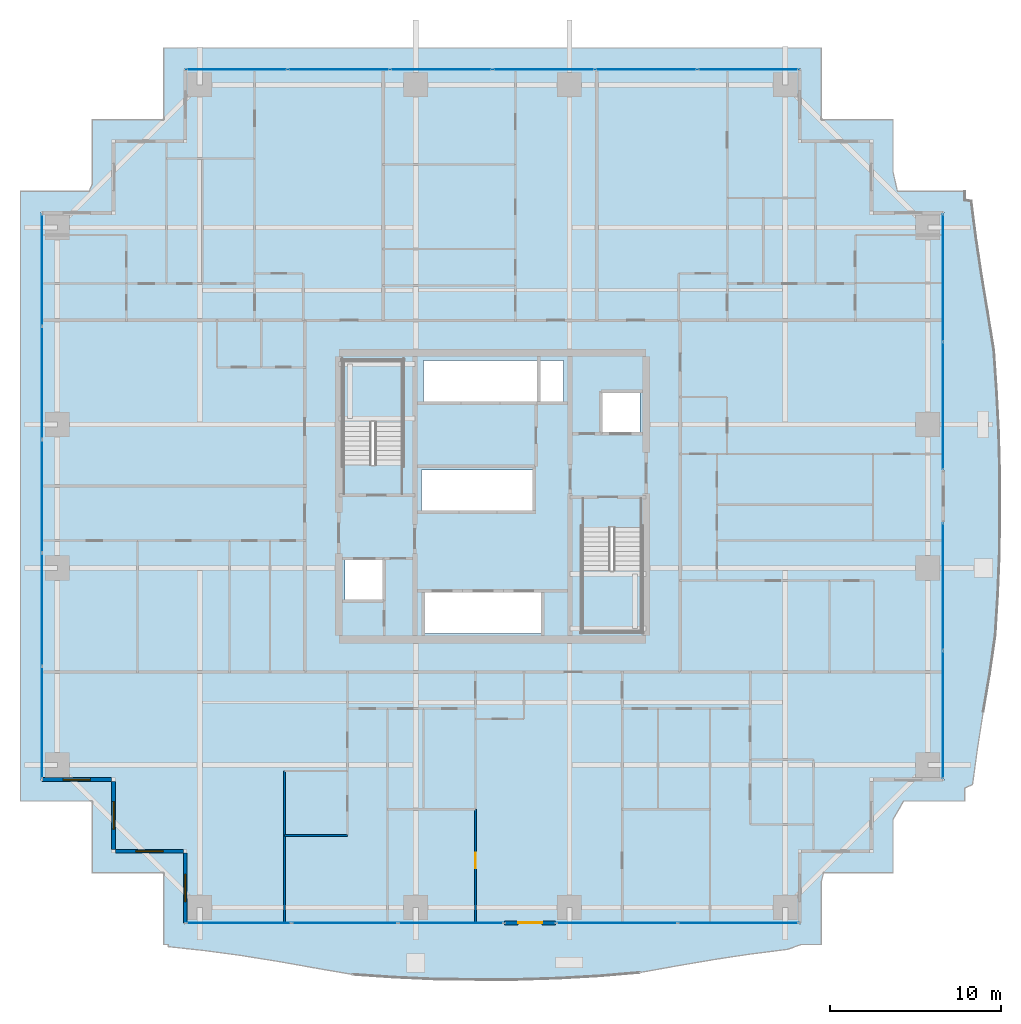
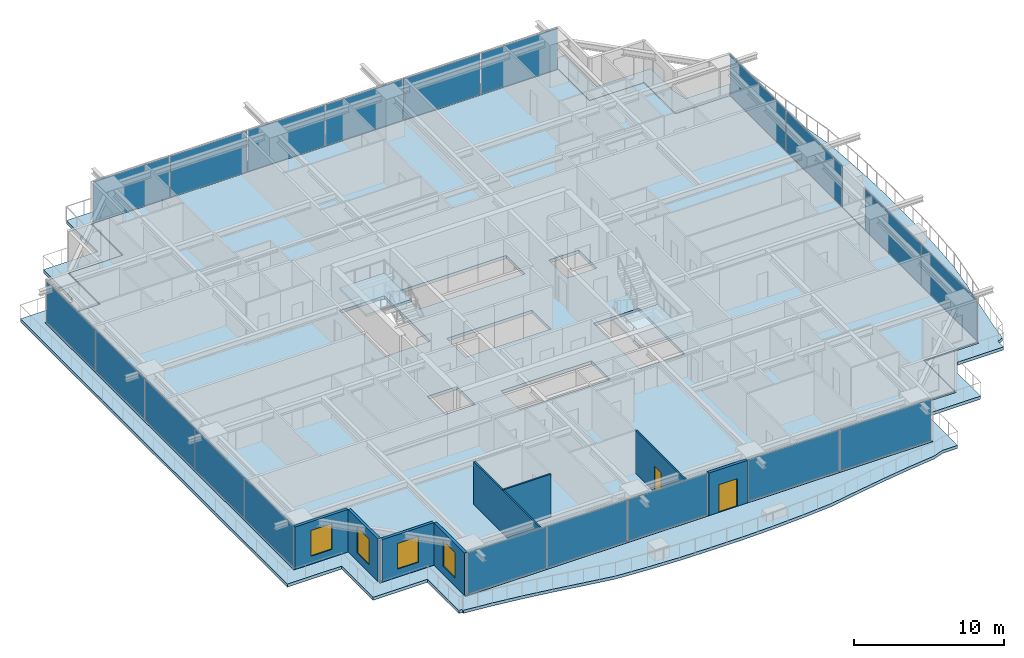
# One storey, part 26 of 39: 20 plates, 8 walls, 4 slabs, 4 windows, 2 doors, 6 openings, 8 elements without a shape of their own.
"""IFC4 building model written with IfcOpenShell, lengths in metres."""

from ifc_helpers import new_model, si_unit, direction, frame, frame_2d, origin, origin_2d, place, context, subcontext, project, spatial, polyline, rectangle, outline, extrude, source, transform, mapped, material, layer, layer_set, type_object, element, fill, aggregate, save


model = new_model("IFC4")

# Units and contexts
model_context = context("Model", 3, precision=1e-05, world=origin(), true_north=direction((0.0, 1.0)))
body_context = subcontext(model_context, "Body", "Model", "MODEL_VIEW")
ifc_project = project(units=[si_unit("LENGTHUNIT", "METRE"), si_unit("AREAUNIT", "SQUARE_METRE"), si_unit("VOLUMEUNIT", "CUBIC_METRE"), si_unit("PLANEANGLEUNIT", "RADIAN"), si_unit("MASSUNIT", "GRAM", prefix="KILO")], contexts=[model_context])

# Site, building, storey
site_placement = place(None, origin())
site = spatial("IfcSite", under=ifc_project, at=site_placement, CompositionType="ELEMENT")
building_placement = place(site_placement, origin())
building = spatial("IfcBuilding", under=site, at=building_placement, Name="Serunith Strait Residences", CompositionType="ELEMENT")
storey_placement = place(building_placement, frame((0.0, 0.0, 49.199951171875)))
storey = spatial("IfcBuildingStorey", under=building, at=storey_placement, Name="L11", CompositionType="ELEMENT", Elevation=49.199951171875)

# Slab
ifc_material_1 = material(Name="Concrete C50/60", Category="concrete")
ifc_layer_1 = layer(ifc_material_1, 0.239990234375, Name="Concrete C50/60")
ifc_layer_set_1 = layer_set([ifc_layer_1], Name="Concrete C50/60")
slab_type_1 = type_object("IfcSlabType", Name="SLB-BALC-240", PredefinedType="FLOOR", material=ifc_layer_set_1)
slab_1_placement = place(storey_placement, frame((0.0, 0.0, -0.2900390625)))
element("IfcSlab", 1, at=slab_1_placement, inside=storey, type_object=slab_type_1, Name="L11 Planted Vertical-Forest Balcony Slab", PredefinedType="FLOOR", context=body_context, shape_type="SweptSolid", body=[
    extrude(outline(polyline([(13.139892578125, 3.139892578125), (8.93994140625, 3.139892578125), (8.93994140625, 7.340087890625), (4.739990234375, 7.340087890625), (4.739990234375, 43.06005859375), (8.7587890625, 43.06005859375), (8.93994140625, 43.457763671875), (8.93994140625, 47.260009765625), (13.139892578125, 47.260009765625), (13.139892578125, 51.4599609375), (51.659912109375, 51.4599609375), (51.659912109375, 47.260009765625), (55.860107421875, 47.260009765625), (55.860107421875, 44.210205078125), (56.121337890625, 43.06005859375), (60.06005859375, 43.06005859375), (60.06005859375, 42.546630859375), (60.450439453125, 42.483642578125), (60.72216796875, 40.353515625), (61.044677734375, 38.2021484375), (61.40771484375, 36.013671875), (61.771240234375, 33.7666015625), (61.931396484375, 31.417724609375), (62.054443359375, 29.037841796875), (62.1201171875, 26.6357421875), (62.1201171875, 24.2236328125), (62.10009765625, 21.815673828125), (62.00048828125, 19.42578125), (61.85400390625, 17.064697265625), (61.5283203125, 14.791748046875), (61.152587890625, 12.593505859375), (60.81201171875, 10.43798828125), (60.521484375, 8.3076171875), (60.06005859375, 8.09716796875), (60.06005859375, 7.340087890625), (56.48291015625, 7.340087890625), (55.860107421875, 6.25390625), (55.860107421875, 3.139892578125), (51.79833984375, 3.139892578125), (51.659912109375, 2.620849609375), (51.659912109375, -1.06005859375), (50.492431640625, -1.06005859375), (49.675537109375, -1.3505859375), (47.55078125, -1.61572265625), (45.408447265625, -1.9384765625), (43.230224609375, -2.311279296875), (40.99658203125, -2.711181640625), (38.64990234375, -2.91015625), (36.26025390625, -3.045166015625), (33.844482421875, -3.1201171875), (31.41748046875, -3.1201171875), (28.995361328125, -3.09423828125), (26.59423828125, -2.983154296875), (24.226806640625, -2.822021484375), (21.972900390625, -2.43359375), (19.78564453125, -2.044921875), (17.639892578125, -1.701904296875), (15.51611328125, -1.416748046875), (13.39990234375, -1.189208984375), (13.40087890625, -1.06005859375), (13.139892578125, -1.06005859375), (13.139892578125, 3.139892578125)]), holes=[polyline([(50.455078125, 0.14501953125), (50.455078125, 4.344970703125), (54.655029296875, 4.344970703125), (54.655029296875, 8.544921875), (58.85498046875, 8.544921875), (58.85498046875, 41.85498046875), (54.655029296875, 41.85498046875), (54.655029296875, 46.054931640625), (50.455078125, 46.054931640625), (50.455078125, 50.2548828125), (14.344970703125, 50.2548828125), (14.344970703125, 46.054931640625), (10.14501953125, 46.054931640625), (10.14501953125, 41.85498046875), (5.945068359375, 41.85498046875), (5.945068359375, 8.544921875), (10.14501953125, 8.544921875), (10.14501953125, 4.344970703125), (14.344970703125, 4.344970703125), (14.344970703125, 0.14501953125), (50.455078125, 0.14501953125)])]), origin(), (0.0, 0.0, 1.0), 0.239990234375),
])

# Stair, slab
stair_type_1 = type_object("IfcStairType", Name="STR-CORE-1", PredefinedType="HALF_TURN_STAIR", material=ifc_material_1)
stair_1_placement = place(storey_placement, origin())
stair_1 = element("IfcStair", 2, at=stair_1_placement, inside=storey, type_object=stair_type_1, Name="L11 Protected Escape Stair ST-1", PredefinedType="HALF_TURN_STAIR")
ifc_layer_2 = layer(ifc_material_1, 0.199951171875, Name="Concrete C50/60")
ifc_layer_set_2 = layer_set([ifc_layer_2], Name="Concrete C50/60")
slab_type_2 = type_object("IfcSlabType", Name="SLB-LAND-200", PredefinedType="LANDING", material=ifc_layer_set_2)
slab_2_placement = place(storey_placement, frame((0.0, 0.0, 1.675048828125)))
slab_2 = element("IfcSlab", 3, at=slab_2_placement, type_object=slab_type_2, Name="ST-1 landing 1", PredefinedType="LANDING", context=body_context, shape_type="SweptSolid", body=[
    extrude(outline(polyline([(27.14990234375, 29.550048828125), (27.14990234375, 33.14990234375), (23.64990234375, 33.14990234375), (23.64990234375, 29.550048828125), (27.14990234375, 29.550048828125)])), origin(), (0.0, 0.0, 1.0), 0.199951171875),
])
aggregate(stair_1, [slab_2])

stair_type_2 = type_object("IfcStairType", Name="STR-CORE-2", PredefinedType="HALF_TURN_STAIR", material=ifc_material_1)
stair_2_placement = place(storey_placement, origin())
stair_2 = element("IfcStair", 4, at=stair_2_placement, inside=storey, type_object=stair_type_2, Name="L11 Protected Escape Stair ST-2", PredefinedType="HALF_TURN_STAIR")
slab_3_placement = place(storey_placement, frame((0.0, 0.0, 1.675048828125)))
slab_3 = element("IfcSlab", 5, at=slab_3_placement, type_object=slab_type_2, Name="ST-2 landing 1", PredefinedType="LANDING", context=body_context, shape_type="SweptSolid", body=[
    extrude(outline(polyline([(37.64990234375, 20.85009765625), (37.64990234375, 17.25), (41.14990234375, 17.25), (41.14990234375, 20.85009765625), (37.64990234375, 20.85009765625)])), origin(), (0.0, 0.0, 1.0), 0.199951171875),
])
aggregate(stair_2, [slab_3])

# Slab
ifc_material_2 = material(Name="Concrete C60/75", Category="concrete")
ifc_layer_3 = layer(ifc_material_2, 0.260009765625, Name="Concrete C60/75")
ifc_layer_set_3 = layer_set([ifc_layer_3], Name="Concrete C60/75")
slab_type_3 = type_object("IfcSlabType", Name="SLB-TWR-260-Z1", PredefinedType="FLOOR", material=ifc_layer_set_3)
slab_4_placement = place(storey_placement, frame((0.0, 0.0, -0.260009765625)))
element("IfcSlab", 6, at=slab_4_placement, inside=storey, type_object=slab_type_3, Name="L11 Structural Floor Plate", PredefinedType="FLOOR", context=body_context, shape_type="SweptSolid", body=[
    extrude(outline(polyline([(14.39990234375, 4.39990234375), (10.199951171875, 4.39990234375), (10.199951171875, 8.60009765625), (6.0, 8.60009765625), (6.0, 41.800048828125), (10.199951171875, 41.800048828125), (10.199951171875, 46.0), (14.39990234375, 46.0), (14.39990234375, 50.199951171875), (50.39990234375, 50.199951171875), (50.39990234375, 46.0), (54.60009765625, 46.0), (54.60009765625, 41.800048828125), (58.800048828125, 41.800048828125), (58.800048828125, 8.60009765625), (54.60009765625, 8.60009765625), (54.60009765625, 4.39990234375), (50.39990234375, 4.39990234375), (50.39990234375, 0.199951171875), (14.39990234375, 0.199951171875), (14.39990234375, 4.39990234375)]), holes=[polyline([(41.14990234375, 17.25), (41.14990234375, 23.3701171875), (37.64990234375, 23.3701171875), (37.64990234375, 17.25), (41.14990234375, 17.25)]), polyline([(41.050048828125, 31.25), (38.75, 31.25), (38.75, 28.85009765625), (41.050048828125, 28.85009765625), (41.050048828125, 31.25)]), polyline([(36.550048828125, 33.14990234375), (28.35009765625, 33.14990234375), (28.35009765625, 30.64990234375), (36.550048828125, 30.64990234375), (36.550048828125, 33.14990234375)]), polyline([(28.35009765625, 19.64990234375), (28.35009765625, 17.14990234375), (35.35009765625, 17.14990234375), (35.35009765625, 19.64990234375), (28.35009765625, 19.64990234375)]), polyline([(34.85009765625, 26.75), (28.25, 26.75), (28.25, 24.25), (34.85009765625, 24.25), (34.85009765625, 26.75)]), polyline([(23.64990234375, 33.14990234375), (23.64990234375, 27.030029296875), (27.14990234375, 27.030029296875), (27.14990234375, 33.14990234375), (23.64990234375, 33.14990234375)]), polyline([(26.050048828125, 21.550048828125), (23.75, 21.550048828125), (23.75, 19.14990234375), (26.050048828125, 19.14990234375), (26.050048828125, 21.550048828125)])]), origin(), (0.0, 0.0, 1.0), 0.260009765625),
])

# Curtain wall, plates
ifc_material_3 = material(Name="Pale-Champagne Anodised Aluminium", Category="aluminium")
ifc_layer_4 = layer(ifc_material_3, 0.199951171875, Name="Pale-Champagne Anodised Aluminium")
ifc_layer_set_4 = layer_set([ifc_layer_4], Name="Pale-Champagne Anodised Aluminium")
curtain_wall_type = type_object("IfcCurtainWallType", Name="CW-SYS1", PredefinedType="NOTDEFINED", material=ifc_layer_set_4)
curtain_wall_1_placement = place(storey_placement, origin())
curtain_wall_1 = element("IfcCurtainWall", 7, at=curtain_wall_1_placement, inside=storey, type_object=curtain_wall_type, Name="L11 N Unitised Fritted Curtain Wall", PredefinedType="NOTDEFINED")
ifc_material_4 = material(Name="Ceramic-Fritted Low-E Double Glazing 28mm", Category="glass")
ifc_layer_5 = layer(ifc_material_4, 0.028076171875, Name="Ceramic-Fritted Low-E Double Glazing 28mm")
ifc_layer_set_5 = layer_set([ifc_layer_5], Name="Ceramic-Fritted Low-E Double Glazing 28mm")
plate_type = type_object("IfcPlateType", Name="CW-SYS1-PNL", PredefinedType="CURTAIN_PANEL", material=ifc_layer_set_5)
shared_shape_1 = source(origin(), body_context, "Body", "SweptSolid", [
    extrude(rectangle(XDim=5.89501953125, YDim=0.028076171875, at=origin_2d()), origin(), (0.0, 0.0, 1.0), 3.35498046875),
])
plate_1_placement = place(storey_placement, frame((47.382568359375, 50.199951171875, 0.06005859375), z_axis=(0.0, 0.0, 1.0), x_axis=(-1.0, 0.0, 0.0)))
plate_1 = element("IfcPlate", 8, at=plate_1_placement, type_object=plate_type, Name="CW-1 panel 1.1", PredefinedType="CURTAIN_PANEL", context=body_context, shape_type="MappedRepresentation", body=[
    mapped(shared_shape_1, transform((0.0, 0.0, 0.0), scale=1.0)),
])
plate_2_placement = place(storey_placement, frame((17.41748046875, 50.199951171875, 0.06005859375), z_axis=(0.0, 0.0, 1.0), x_axis=(-1.0, 0.0, 0.0)))
plate_2 = element("IfcPlate", 9, at=plate_2_placement, type_object=plate_type, Name="CW-1 panel 6.1", PredefinedType="CURTAIN_PANEL", context=body_context, shape_type="MappedRepresentation", body=[
    mapped(shared_shape_1, transform((0.0, 0.0, 0.0), scale=1.0)),
])
shared_shape_2 = source(origin(), body_context, "Body", "SweptSolid", [
    extrude(rectangle(XDim=5.929931640625, YDim=0.028076171875, at=origin_2d()), origin(), (0.0, 0.0, 1.0), 3.35498046875),
])
plate_3_placement = place(storey_placement, frame((41.39990234375, 50.199951171875, 0.06005859375), z_axis=(0.0, 0.0, 1.0), x_axis=(-1.0, 0.0, 0.0)))
plate_3 = element("IfcPlate", 10, at=plate_3_placement, type_object=plate_type, Name="CW-1 panel 2.1", PredefinedType="CURTAIN_PANEL", context=body_context, shape_type="MappedRepresentation", body=[
    mapped(shared_shape_2, transform((0.0, 0.0, 0.0), scale=1.0)),
])
plate_4_placement = place(storey_placement, frame((35.39990234375, 50.199951171875, 0.06005859375), z_axis=(0.0, 0.0, 1.0), x_axis=(-1.0, 0.0, 0.0)))
plate_4 = element("IfcPlate", 11, at=plate_4_placement, type_object=plate_type, Name="CW-1 panel 3.1", PredefinedType="CURTAIN_PANEL", context=body_context, shape_type="MappedRepresentation", body=[
    mapped(shared_shape_2, transform((0.0, 0.0, 0.0), scale=1.0)),
])
plate_5_placement = place(storey_placement, frame((29.39990234375, 50.199951171875, 0.06005859375), z_axis=(0.0, 0.0, 1.0), x_axis=(-1.0, 0.0, 0.0)))
plate_5 = element("IfcPlate", 12, at=plate_5_placement, type_object=plate_type, Name="CW-1 panel 4.1", PredefinedType="CURTAIN_PANEL", context=body_context, shape_type="MappedRepresentation", body=[
    mapped(shared_shape_2, transform((0.0, 0.0, 0.0), scale=1.0)),
])
plate_6_placement = place(storey_placement, frame((23.39990234375, 50.199951171875, 0.06005859375), z_axis=(0.0, 0.0, 1.0), x_axis=(-1.0, 0.0, 0.0)))
plate_6 = element("IfcPlate", 13, at=plate_6_placement, type_object=plate_type, Name="CW-1 panel 5.1", PredefinedType="CURTAIN_PANEL", context=body_context, shape_type="MappedRepresentation", body=[
    mapped(shared_shape_2, transform((0.0, 0.0, 0.0), scale=1.0)),
])
aggregate(curtain_wall_1, [plate_1, plate_3, plate_4, plate_5, plate_6, plate_2])

curtain_wall_2_placement = place(storey_placement, origin())
curtain_wall_2 = element("IfcCurtainWall", 14, at=curtain_wall_2_placement, inside=storey, type_object=curtain_wall_type, Name="L11 E Unitised Fritted Curtain Wall", PredefinedType="NOTDEFINED")
shared_shape_3 = source(origin(), body_context, "Body", "SweptSolid", [
    extrude(rectangle(XDim=7.445068359375, YDim=0.028076171875, at=origin_2d()), origin(), (0.0, 0.0, 1.0), 3.35498046875),
])
plate_7_placement = place(storey_placement, frame((58.800048828125, 12.392578125, 0.06005859375), z_axis=(0.0, 0.0, 1.0), x_axis=(0.0, 1.0, 0.0)))
plate_7 = element("IfcPlate", 15, at=plate_7_placement, type_object=plate_type, Name="CW-1 panel 1.1", PredefinedType="CURTAIN_PANEL", context=body_context, shape_type="MappedRepresentation", body=[
    mapped(shared_shape_3, transform((0.0, 0.0, 0.0), scale=1.0)),
])
plate_8_placement = place(storey_placement, frame((58.800048828125, 19.907470703125, 0.06005859375), z_axis=(0.0, 0.0, 1.0), x_axis=(0.0, 1.0, 0.0)))
plate_8 = element("IfcPlate", 16, at=plate_8_placement, type_object=plate_type, Name="CW-1 panel 2.1", PredefinedType="CURTAIN_PANEL", context=body_context, shape_type="MappedRepresentation", body=[
    mapped(shared_shape_3, transform((0.0, 0.0, 0.0), scale=1.0)),
])
aggregate(curtain_wall_2, [plate_7, plate_8])

curtain_wall_3_placement = place(storey_placement, origin())
curtain_wall_3 = element("IfcCurtainWall", 17, at=curtain_wall_3_placement, inside=storey, type_object=curtain_wall_type, Name="L11 E Unitised Fritted Curtain Wall", PredefinedType="NOTDEFINED")
plate_9_placement = place(storey_placement, frame((58.800048828125, 30.492431640625, 0.06005859375), z_axis=(0.0, 0.0, 1.0), x_axis=(0.0, 1.0, 0.0)))
plate_9 = element("IfcPlate", 18, at=plate_9_placement, type_object=plate_type, Name="CW-1 panel 1.1", PredefinedType="CURTAIN_PANEL", context=body_context, shape_type="MappedRepresentation", body=[
    mapped(shared_shape_3, transform((0.0, 0.0, 0.0), scale=1.0)),
])
plate_10_placement = place(storey_placement, frame((58.800048828125, 38.007568359375, 0.06005859375), z_axis=(0.0, 0.0, 1.0), x_axis=(0.0, 1.0, 0.0)))
plate_10 = element("IfcPlate", 19, at=plate_10_placement, type_object=plate_type, Name="CW-1 panel 2.1", PredefinedType="CURTAIN_PANEL", context=body_context, shape_type="MappedRepresentation", body=[
    mapped(shared_shape_3, transform((0.0, 0.0, 0.0), scale=1.0)),
])
aggregate(curtain_wall_3, [plate_9, plate_10])

curtain_wall_4_placement = place(storey_placement, origin())
curtain_wall_4 = element("IfcCurtainWall", 20, at=curtain_wall_4_placement, inside=storey, type_object=curtain_wall_type, Name="L11 W Unitised Fritted Curtain Wall", PredefinedType="NOTDEFINED")
shared_shape_4 = source(origin(), body_context, "Body", "SweptSolid", [
    extrude(rectangle(XDim=6.534912109375, YDim=0.028076171875, at=origin_2d()), origin(), (0.0, 0.0, 1.0), 3.35498046875),
])
plate_11_placement = place(storey_placement, frame((6.0, 38.46240234375, 0.06005859375), z_axis=(0.0, 0.0, 1.0), x_axis=(0.0, -1.0, 0.0)))
plate_11 = element("IfcPlate", 21, at=plate_11_placement, type_object=plate_type, Name="CW-1 panel 1.1", PredefinedType="CURTAIN_PANEL", context=body_context, shape_type="MappedRepresentation", body=[
    mapped(shared_shape_4, transform((0.0, 0.0, 0.0), scale=1.0)),
])
plate_12_placement = place(storey_placement, frame((6.0, 11.9375, 0.06005859375), z_axis=(0.0, 0.0, 1.0), x_axis=(0.0, -1.0, 0.0)))
plate_12 = element("IfcPlate", 22, at=plate_12_placement, type_object=plate_type, Name="CW-1 panel 5.1", PredefinedType="CURTAIN_PANEL", context=body_context, shape_type="MappedRepresentation", body=[
    mapped(shared_shape_4, transform((0.0, 0.0, 0.0), scale=1.0)),
])
shared_shape_5 = source(origin(), body_context, "Body", "SweptSolid", [
    extrude(rectangle(XDim=6.570068359375, YDim=0.028076171875, at=origin_2d()), origin(), (0.0, 0.0, 1.0), 3.35498046875),
])
plate_13_placement = place(storey_placement, frame((6.0, 31.840087890625, 0.06005859375), z_axis=(0.0, 0.0, 1.0), x_axis=(0.0, -1.0, 0.0)))
plate_13 = element("IfcPlate", 23, at=plate_13_placement, type_object=plate_type, Name="CW-1 panel 2.1", PredefinedType="CURTAIN_PANEL", context=body_context, shape_type="MappedRepresentation", body=[
    mapped(shared_shape_5, transform((0.0, 0.0, 0.0), scale=1.0)),
])
plate_14_placement = place(storey_placement, frame((6.0, 25.199951171875, 0.06005859375), z_axis=(0.0, 0.0, 1.0), x_axis=(0.0, -1.0, 0.0)))
plate_14 = element("IfcPlate", 24, at=plate_14_placement, type_object=plate_type, Name="CW-1 panel 3.1", PredefinedType="CURTAIN_PANEL", context=body_context, shape_type="MappedRepresentation", body=[
    mapped(shared_shape_5, transform((0.0, 0.0, 0.0), scale=1.0)),
])
plate_15_placement = place(storey_placement, frame((6.0, 18.56005859375, 0.06005859375), z_axis=(0.0, 0.0, 1.0), x_axis=(0.0, -1.0, 0.0)))
plate_15 = element("IfcPlate", 25, at=plate_15_placement, type_object=plate_type, Name="CW-1 panel 4.1", PredefinedType="CURTAIN_PANEL", context=body_context, shape_type="MappedRepresentation", body=[
    mapped(shared_shape_5, transform((0.0, 0.0, 0.0), scale=1.0)),
])
aggregate(curtain_wall_4, [plate_11, plate_13, plate_14, plate_15, plate_12])

curtain_wall_5_placement = place(storey_placement, origin())
curtain_wall_5 = element("IfcCurtainWall", 26, at=curtain_wall_5_placement, inside=storey, type_object=curtain_wall_type, Name="L11 S Unitised Fritted Curtain Wall", PredefinedType="NOTDEFINED")
shared_shape_6 = source(origin(), body_context, "Body", "SweptSolid", [
    extrude(rectangle(XDim=7.044921875, YDim=0.028076171875, at=origin_2d()), origin(), (0.0, 0.0, 1.0), 3.35498046875),
])
plate_16_placement = place(storey_placement, frame((39.6923828125, 0.199951171875, 0.06005859375), z_axis=(0.0, 0.0, 1.0), x_axis=(1.0, 0.0, 0.0)))
plate_16 = element("IfcPlate", 27, at=plate_16_placement, type_object=plate_type, Name="CW-1 panel 1.1", PredefinedType="CURTAIN_PANEL", context=body_context, shape_type="MappedRepresentation", body=[
    mapped(shared_shape_6, transform((0.0, 0.0, 0.0), scale=1.0)),
])
plate_17_placement = place(storey_placement, frame((46.8076171875, 0.199951171875, 0.06005859375), z_axis=(0.0, 0.0, 1.0), x_axis=(1.0, 0.0, 0.0)))
plate_17 = element("IfcPlate", 28, at=plate_17_placement, type_object=plate_type, Name="CW-1 panel 2.1", PredefinedType="CURTAIN_PANEL", context=body_context, shape_type="MappedRepresentation", body=[
    mapped(shared_shape_6, transform((0.0, 0.0, 0.0), scale=1.0)),
])
aggregate(curtain_wall_5, [plate_16, plate_17])

curtain_wall_6_placement = place(storey_placement, origin())
curtain_wall_6 = element("IfcCurtainWall", 29, at=curtain_wall_6_placement, inside=storey, type_object=curtain_wall_type, Name="L11 S Unitised Fritted Curtain Wall", PredefinedType="NOTDEFINED")
shared_shape_7 = source(origin(), body_context, "Body", "SweptSolid", [
    extrude(rectangle(XDim=6.12841796875, YDim=0.028076171875, at=origin_2d()), origin(), (0.0, 0.0, 1.0), 3.35498046875),
])
plate_18_placement = place(storey_placement, frame((17.5341796875, 0.199951171875, 0.06005859375), z_axis=(0.0, 0.0, 1.0), x_axis=(1.0, 0.0, 0.0)))
plate_18 = element("IfcPlate", 30, at=plate_18_placement, type_object=plate_type, Name="CW-1 panel 1.1", PredefinedType="CURTAIN_PANEL", context=body_context, shape_type="MappedRepresentation", body=[
    mapped(shared_shape_7, transform((0.0, 0.0, 0.0), scale=1.0)),
])
plate_19_placement = place(storey_placement, frame((29.9658203125, 0.199951171875, 0.06005859375), z_axis=(0.0, 0.0, 1.0), x_axis=(1.0, 0.0, 0.0)))
plate_19 = element("IfcPlate", 31, at=plate_19_placement, type_object=plate_type, Name="CW-1 panel 3.1", PredefinedType="CURTAIN_PANEL", context=body_context, shape_type="MappedRepresentation", body=[
    mapped(shared_shape_7, transform((0.0, 0.0, 0.0), scale=1.0)),
])
shared_shape_8 = source(origin(), body_context, "Body", "SweptSolid", [
    extrude(rectangle(XDim=6.163330078125, YDim=0.028076171875, at=origin_2d()), origin(), (0.0, 0.0, 1.0), 3.35498046875),
])
plate_20_placement = place(storey_placement, frame((23.75, 0.199951171875, 0.06005859375), z_axis=(0.0, 0.0, 1.0), x_axis=(1.0, 0.0, 0.0)))
plate_20 = element("IfcPlate", 32, at=plate_20_placement, type_object=plate_type, Name="CW-1 panel 2.1", PredefinedType="CURTAIN_PANEL", context=body_context, shape_type="MappedRepresentation", body=[
    mapped(shared_shape_8, transform((0.0, 0.0, 0.0), scale=1.0)),
])
aggregate(curtain_wall_6, [plate_18, plate_20, plate_19])

# Wall, opening, door
ifc_material_5 = material(Name="Pale-Champagne Aluminium Insulated Panel", Category="aluminium")
ifc_layer_6 = layer(ifc_material_5, 0.219970703125, Name="Pale-Champagne Aluminium Insulated Panel")
ifc_layer_set_6 = layer_set([ifc_layer_6], Name="Pale-Champagne Aluminium Insulated Panel")
wall_type_1 = type_object("IfcWallType", Name="EW-ALUM-220", PredefinedType="ELEMENTEDWALL", material=ifc_layer_set_6)
wall_1_placement = place(storey_placement, frame((33.10009765625, 0.199951171875, 0.0), z_axis=(0.0, 0.0, 1.0), x_axis=(1.0, 0.0, 0.0)))
wall_1 = element("IfcWall", 33, at=wall_1_placement, inside=storey, type_object=wall_type_1, Name="L11 S Facade Pier Wall", PredefinedType="ELEMENTEDWALL", context=body_context, shape_type="SweptSolid", body=[
    extrude(rectangle(XDim=3.0, YDim=0.219970703125, at=frame_2d((1.5, 0.0))), origin(), (0.0, 0.0, 1.0), 3.47509765625),
])
opening_1_placement = place(wall_1_placement, frame((0.800048828125, 0.0, 0.0)))
opening_1 = element("IfcOpeningElement", 34, at=opening_1_placement, cuts=wall_1, Name="Opening ED-04", PredefinedType="OPENING", context=body_context, shape_type="SweptSolid", body=[
    extrude(rectangle(XDim=1.39990234375, YDim=2.25, at=frame_2d((0.699951171875, 1.125))), frame((0.0, 0.1201171875, 0.0), z_axis=(0.0, -1.0, 0.0), x_axis=(1.0, 0.0, 0.0)), (0.0, 0.0, 1.0), 0.239990234375),
])
ifc_material_6 = material(Name="Thermally-Broken Aluminium Sliding Balcony Door", Category="aluminium")
door_type_1 = type_object("IfcDoorType", Name="ED-BALC-1400", OperationType="NOTDEFINED", PredefinedType="DOOR", material=ifc_material_6)
shared_shape_9 = source(origin(), body_context, "Body", "SweptSolid", [
    extrude(rectangle(XDim=1.39990234375, YDim=2.25, at=frame_2d((0.699951171875, 1.125))), frame((0.0, 0.02490234375, 0.0), z_axis=(0.0, -1.0, 0.0), x_axis=(1.0, 0.0, 0.0)), (0.0, 0.0, 1.0), 0.050048828125),
])
door_1_placement = place(opening_1_placement, origin())
door_1 = element("IfcDoor", 35, at=door_1_placement, inside=storey, type_object=door_type_1, Name="L11 S Vertical-Forest Balcony Door", OperationType="SLIDING_TO_LEFT", OverallHeight=2.25, OverallWidth=1.39990234375, PredefinedType="DOOR", context=body_context, shape_type="MappedRepresentation", body=[
    mapped(shared_shape_9, transform((0.0, 0.0, 0.0), scale=1.0)),
])
fill(opening_1, door_1)

# Wall, opening, window
wall_2_placement = place(storey_placement, frame((6.0, 8.60009765625, 0.0), z_axis=(0.0, 0.0, 1.0), x_axis=(1.0, 0.0, 0.0)))
wall_2 = element("IfcWall", 36, at=wall_2_placement, inside=storey, type_object=wall_type_1, Name="L11 Girih Serrated Corner Wall 17", PredefinedType="ELEMENTEDWALL", context=body_context, shape_type="SweptSolid", body=[
    extrude(rectangle(XDim=4.090087890625, YDim=0.219970703125, at=frame_2d((2.044921875, 0.0))), origin(), (0.0, 0.0, 1.0), 3.47509765625),
])
opening_2_placement = place(wall_2_placement, frame((1.2451171875, 0.0, 0.64990234375)))
opening_2 = element("IfcOpeningElement", 37, at=opening_2_placement, cuts=wall_2, Name="Opening W-02", PredefinedType="OPENING", context=body_context, shape_type="SweptSolid", body=[
    extrude(rectangle(XDim=1.60009765625, YDim=2.10009765625, at=frame_2d((0.800048828125, 1.050048828125))), frame((0.0, 0.1201171875, 0.0), z_axis=(0.0, -1.0, 0.0), x_axis=(1.0, 0.0, 0.0)), (0.0, 0.0, 1.0), 0.239990234375),
])
ifc_material_7 = material(Name="Ceramic-Fritted Operable Aluminium Window Glass", Category="aluminium")
window_type = type_object("IfcWindowType", Name="WIN-C2", PartitioningType="DOUBLE_PANEL_VERTICAL", PredefinedType="WINDOW", material=ifc_material_7)
shared_shape_10 = source(origin(), body_context, "Body", "SweptSolid", [
    extrude(rectangle(XDim=1.60009765625, YDim=2.10009765625, at=frame_2d((0.800048828125, 1.050048828125))), frame((0.0, 0.030029296875, 0.0), z_axis=(0.0, -1.0, 0.0), x_axis=(1.0, 0.0, 0.0)), (0.0, 0.0, 1.0), 0.06005859375),
])
window_1_placement = place(opening_2_placement, origin())
window_1 = element("IfcWindow", 38, at=window_1_placement, inside=storey, type_object=window_type, Name="L11 Corner Operable Fritted Window 17", OverallHeight=2.10009765625, OverallWidth=1.60009765625, PartitioningType="SINGLE_PANEL", PredefinedType="WINDOW", context=body_context, shape_type="MappedRepresentation", body=[
    mapped(shared_shape_10, transform((0.0, 0.0, 0.0), scale=1.0)),
])
fill(opening_2, window_1)

wall_3_placement = place(storey_placement, frame((10.199951171875, 8.489990234375, 0.0), z_axis=(0.0, 0.0, 1.0), x_axis=(0.0, -1.0, 0.0)))
wall_3 = element("IfcWall", 39, at=wall_3_placement, inside=storey, type_object=wall_type_1, Name="L11 Girih Serrated Corner Wall 18", PredefinedType="ELEMENTEDWALL", context=body_context, shape_type="SweptSolid", body=[
    extrude(rectangle(XDim=3.97998046875, YDim=0.219970703125, at=frame_2d((1.989990234375, 0.0))), origin(), (0.0, 0.0, 1.0), 3.47509765625),
])
opening_3_placement = place(wall_3_placement, frame((1.18994140625, 0.0, 0.64990234375)))
opening_3 = element("IfcOpeningElement", 40, at=opening_3_placement, cuts=wall_3, Name="Opening W-02", PredefinedType="OPENING", context=body_context, shape_type="SweptSolid", body=[
    extrude(rectangle(XDim=1.60009765625, YDim=2.10009765625, at=frame_2d((0.800048828125, 1.050048828125))), frame((0.0, 0.1201171875, 0.0), z_axis=(0.0, -1.0, 0.0), x_axis=(1.0, 0.0, 0.0)), (0.0, 0.0, 1.0), 0.239990234375),
])
window_2_placement = place(opening_3_placement, origin())
window_2 = element("IfcWindow", 41, at=window_2_placement, inside=storey, type_object=window_type, Name="L11 Corner Operable Fritted Window 18", OverallHeight=2.10009765625, OverallWidth=1.60009765625, PartitioningType="SINGLE_PANEL", PredefinedType="WINDOW", context=body_context, shape_type="MappedRepresentation", body=[
    mapped(shared_shape_10, transform((0.0, 0.0, 0.0), scale=1.0)),
])
fill(opening_3, window_2)

wall_4_placement = place(storey_placement, frame((10.31005859375, 4.39990234375, 0.0), z_axis=(0.0, 0.0, 1.0), x_axis=(1.0, 0.0, 0.0)))
wall_4 = element("IfcWall", 42, at=wall_4_placement, inside=storey, type_object=wall_type_1, Name="L11 Girih Serrated Corner Wall 19", PredefinedType="ELEMENTEDWALL", context=body_context, shape_type="SweptSolid", body=[
    extrude(rectangle(XDim=3.97998046875, YDim=0.219970703125, at=frame_2d((1.989990234375, 0.0))), origin(), (0.0, 0.0, 1.0), 3.47509765625),
])
opening_4_placement = place(wall_4_placement, frame((1.18994140625, 0.0, 0.64990234375)))
opening_4 = element("IfcOpeningElement", 43, at=opening_4_placement, cuts=wall_4, Name="Opening W-02", PredefinedType="OPENING", context=body_context, shape_type="SweptSolid", body=[
    extrude(rectangle(XDim=1.60009765625, YDim=2.10009765625, at=frame_2d((0.800048828125, 1.050048828125))), frame((0.0, 0.1201171875, 0.0), z_axis=(0.0, -1.0, 0.0), x_axis=(1.0, 0.0, 0.0)), (0.0, 0.0, 1.0), 0.239990234375),
])
window_3_placement = place(opening_4_placement, origin())
window_3 = element("IfcWindow", 44, at=window_3_placement, inside=storey, type_object=window_type, Name="L11 Corner Operable Fritted Window 19", OverallHeight=2.10009765625, OverallWidth=1.60009765625, PartitioningType="SINGLE_PANEL", PredefinedType="WINDOW", context=body_context, shape_type="MappedRepresentation", body=[
    mapped(shared_shape_10, transform((0.0, 0.0, 0.0), scale=1.0)),
])
fill(opening_4, window_3)

wall_5_placement = place(storey_placement, frame((14.39990234375, 4.2900390625, 0.0), z_axis=(0.0, 0.0, 1.0), x_axis=(0.0, -1.0, 0.0)))
wall_5 = element("IfcWall", 45, at=wall_5_placement, inside=storey, type_object=wall_type_1, Name="L11 Girih Serrated Corner Wall 20", PredefinedType="ELEMENTEDWALL", context=body_context, shape_type="SweptSolid", body=[
    extrude(rectangle(XDim=4.090087890625, YDim=0.219970703125, at=frame_2d((2.044921875, 0.0))), origin(), (0.0, 0.0, 1.0), 3.47509765625),
])
opening_5_placement = place(wall_5_placement, frame((1.2451171875, 0.0, 0.64990234375)))
opening_5 = element("IfcOpeningElement", 46, at=opening_5_placement, cuts=wall_5, Name="Opening W-02", PredefinedType="OPENING", context=body_context, shape_type="SweptSolid", body=[
    extrude(rectangle(XDim=1.60009765625, YDim=2.10009765625, at=frame_2d((0.800048828125, 1.050048828125))), frame((0.0, 0.1201171875, 0.0), z_axis=(0.0, -1.0, 0.0), x_axis=(1.0, 0.0, 0.0)), (0.0, 0.0, 1.0), 0.239990234375),
])
window_4_placement = place(opening_5_placement, origin())
window_4 = element("IfcWindow", 47, at=window_4_placement, inside=storey, type_object=window_type, Name="L11 Corner Operable Fritted Window 20", OverallHeight=2.10009765625, OverallWidth=1.60009765625, PartitioningType="SINGLE_PANEL", PredefinedType="WINDOW", context=body_context, shape_type="MappedRepresentation", body=[
    mapped(shared_shape_10, transform((0.0, 0.0, 0.0), scale=1.0)),
])
fill(opening_5, window_4)

# Wall, opening, door
ifc_material_8 = material(Name="Lightweight steel-stud gypsum partition", Category="steel")
ifc_layer_7 = layer(ifc_material_8, 0.1201171875, Name="Lightweight steel-stud gypsum partition")
ifc_layer_set_7 = layer_set([ifc_layer_7], Name="Lightweight steel-stud gypsum partition")
wall_type_2 = type_object("IfcWallType", Name="IW-PART-120", PredefinedType="PARTITIONING", material=ifc_layer_set_7)
wall_6_placement = place(storey_placement, frame((31.39990234375, 0.294921875, 0.0), z_axis=(0.0, 0.0, 1.0), x_axis=(0.0, 1.0, 0.0)))
wall_6 = element("IfcWall", 48, at=wall_6_placement, inside=storey, type_object=wall_type_2, Name="L11 Partition Wall 028", PredefinedType="PARTITIONING", context=body_context, shape_type="SweptSolid", body=[
    extrude(rectangle(XDim=6.565185546875, YDim=0.1201171875, at=frame_2d((3.28271484375, 0.0))), origin(), (0.0, 0.0, 1.0), 3.489990234375),
])
opening_6_placement = place(wall_6_placement, frame((3.115966796875, 0.0, 0.0)))
opening_6 = element("IfcOpeningElement", 49, at=opening_6_placement, cuts=wall_6, Name="Opening D-RM900", PredefinedType="OPENING", context=body_context, shape_type="SweptSolid", body=[
    extrude(rectangle(XDim=0.89990234375, YDim=2.10009765625, at=frame_2d((0.449951171875, 1.050048828125))), frame((0.0, 0.070068359375, 0.0), z_axis=(0.0, -1.0, 0.0), x_axis=(1.0, 0.0, 0.0)), (0.0, 0.0, 1.0), 0.14013671875),
])
ifc_material_9 = material(Name="Engineered timber flush bedroom door", Category="wood")
door_type_2 = type_object("IfcDoorType", Name="ID-ROOM-900", OperationType="NOTDEFINED", PredefinedType="DOOR", material=ifc_material_9)
shared_shape_11 = source(origin(), body_context, "Body", "SweptSolid", [
    extrude(rectangle(XDim=0.89990234375, YDim=2.10009765625, at=frame_2d((0.449951171875, 1.050048828125))), frame((0.0, 0.02490234375, 0.0), z_axis=(0.0, -1.0, 0.0), x_axis=(1.0, 0.0, 0.0)), (0.0, 0.0, 1.0), 0.050048828125),
])
door_2_placement = place(opening_6_placement, origin())
door_2 = element("IfcDoor", 50, at=door_2_placement, inside=storey, type_object=door_type_2, Name="L11 Formal Dining Room 1 1101 Door", OperationType="SINGLE_SWING_LEFT", OverallHeight=2.10009765625, OverallWidth=0.89990234375, PredefinedType="DOOR", context=body_context, shape_type="MappedRepresentation", body=[
    mapped(shared_shape_11, transform((0.0, 0.0, 0.0), scale=1.0)),
])
fill(opening_6, door_2)

# Walls
wall_7_placement = place(storey_placement, frame((20.199951171875, 5.30908203125, 0.0), z_axis=(0.0, 0.0, 1.0), x_axis=(1.0, 0.0, 0.0)))
element("IfcWall", 51, at=wall_7_placement, inside=storey, type_object=wall_type_2, Name="L11 Partition Wall 036", PredefinedType="PARTITIONING", context=body_context, shape_type="SweptSolid", body=[
    extrude(rectangle(XDim=3.699951171875, YDim=0.1201171875, at=frame_2d((1.85009765625, 0.0))), origin(), (0.0, 0.0, 1.0), 3.489990234375),
])
wall_8_placement = place(storey_placement, frame((20.199951171875, 0.294921875, 0.0), z_axis=(0.0, 0.0, 1.0), x_axis=(0.0, 1.0, 0.0)))
element("IfcWall", 52, at=wall_8_placement, inside=storey, type_object=wall_type_2, Name="L11 Partition Wall 037", PredefinedType="PARTITIONING", context=body_context, shape_type="SweptSolid", body=[
    extrude(rectangle(XDim=8.798095703125, YDim=0.1201171875, at=frame_2d((4.39892578125, 0.0))), origin(), (0.0, 0.0, 1.0), 3.489990234375),
])

save(model, "model.ifc")
